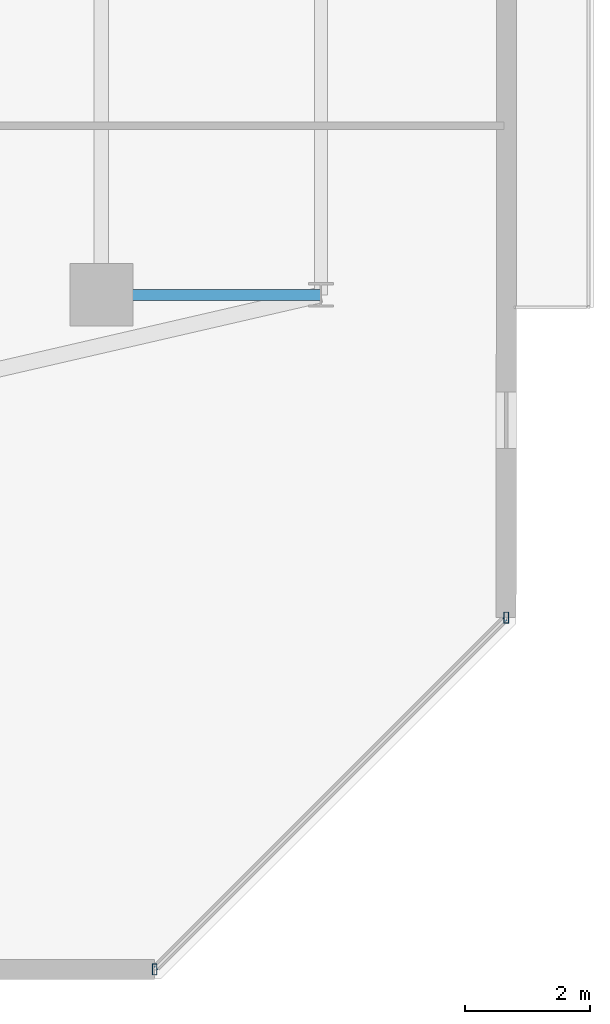
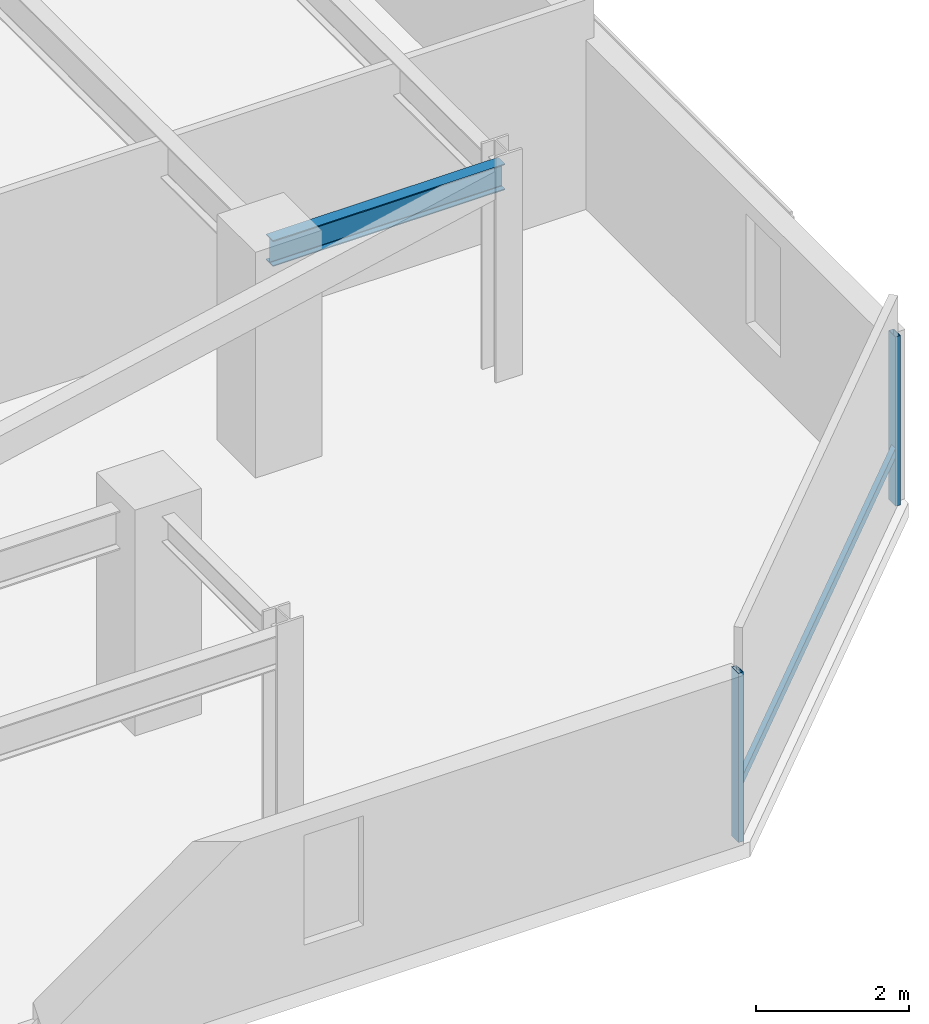
# One storey, part 12 of 31: 3 members, 1 beam, 1 element without a shape of its own.
"""IFC4 building model written with IfcOpenShell, lengths in metres."""

from ifc_helpers import new_model, si_unit, direction, frame, origin, origin_2d, place, context, subcontext, project, spatial, hollow_rectangle, i_section, extrude, material, material_profile, profile_set, type_object, element, aggregate, save


model = new_model("IFC4")

# Units and contexts
model_context = context("Model", 3, precision=1e-05, world=origin(), true_north=direction((0.0, 1.0)))
body_context = subcontext(model_context, "Body", "Model", "MODEL_VIEW")
ifc_project = project(units=[si_unit("LENGTHUNIT", "METRE"), si_unit("AREAUNIT", "SQUARE_METRE"), si_unit("VOLUMEUNIT", "CUBIC_METRE"), si_unit("PLANEANGLEUNIT", "RADIAN"), si_unit("MASSUNIT", "GRAM", prefix="KILO")], contexts=[model_context])

# Site, building, storey
site_placement = place(None, origin())
site = spatial("IfcSite", under=ifc_project, at=site_placement, CompositionType="ELEMENT")
building_placement = place(site_placement, origin())
building = spatial("IfcBuilding", under=site, at=building_placement, Name="Thornwick Lancets Civic Towers", CompositionType="ELEMENT")
storey_placement = place(building_placement, frame((0.0, 0.0, 236.699951171875)))
storey = spatial("IfcBuildingStorey", under=building, at=storey_placement, Name="L63", CompositionType="ELEMENT", Elevation=236.699951171875)

# Beam
ifc_material_1 = material(Name="Steel S355JR", Category="steel")
ifc_material_profile_1 = material_profile(ifc_material_1, i_section(OverallWidth=0.179443359375, OverallDepth=0.412841796875, WebThickness=0.009521484375, FlangeThickness=0.01611328125, FilletRadius=0.01025390625, at=origin_2d()), Name="UKB 406x178x74")
ifc_profile_set_1 = profile_set([ifc_material_profile_1], Name="Steel S355JR")
beam_type = type_object("IfcBeamType", Name="BM_JOIST_406_74", PredefinedType="JOIST", material=ifc_profile_set_1)
beam_placement = place(storey_placement, frame((105.800048828125, 14.0, 3.153564453125), z_axis=(1.0, 0.0, 0.0), x_axis=(0.0, 1.0, 0.0)))
element("IfcBeam", 1, at=beam_placement, inside=storey, type_object=beam_type, Name="BM-RAD-L63-B01", PredefinedType="JOIST", context=body_context, shape_type="SweptSolid", body=[
    extrude(i_section(OverallWidth=0.179443359375, OverallDepth=0.412841796875, WebThickness=0.009521484375, FlangeThickness=0.01611328125, FilletRadius=0.01025390625, at=origin_2d()), origin(), (0.0, 0.0, 1.0), 3.5),
])

# Curtain wall, members
ifc_material_2 = material(Name="High-zone chamfered-corner unitised glass curtain wall", Category="glass")
curtain_wall_type = type_object("IfcCurtainWallType", Name="CW_SYS_05", PredefinedType="NOTDEFINED", material=ifc_material_2)
curtain_wall_placement = place(storey_placement, origin())
curtain_wall = element("IfcCurtainWall", 2, at=curtain_wall_placement, inside=storey, type_object=curtain_wall_type, Name="L63 Curtain Wall CW-L63-B-E1", PredefinedType="NOTDEFINED")
ifc_material_3 = material(Name="Thermally broken bronze aluminium S355", Category="steel")
ifc_material_profile_2 = material_profile(ifc_material_3, hollow_rectangle(XDim=0.074951171875, YDim=0.179931640625, WallThickness=0.006103515625, at=origin_2d()), Name="RHS 180x75x6")
ifc_profile_set_2 = profile_set([ifc_material_profile_2], Name="Thermally broken bronze aluminium S355")
member_type_1 = type_object("IfcMemberType", Name="CW_MUL_180", PredefinedType="MULLION", material=ifc_profile_set_2)
member_1_placement = place(storey_placement, frame((106.64794921875, 3.245361328125, 0.0), z_axis=(0.0, 0.0, 1.0), x_axis=(1.0, 0.0, 0.0)))
member_1 = element("IfcMember", 3, at=member_1_placement, type_object=member_type_1, Name="CW-L63-B-E1 Mullion 0", PredefinedType="MULLION", context=body_context, shape_type="SweptSolid", body=[
    extrude(hollow_rectangle(XDim=0.074951171875, YDim=0.179931640625, WallThickness=0.006103515625, at=origin_2d()), origin(), (0.0, 0.0, 1.0), 2.699951171875),
])
member_2_placement = place(storey_placement, frame((112.254638671875, 8.85205078125, 0.0), z_axis=(0.0, 0.0, 1.0), x_axis=(1.0, 0.0, 0.0)))
member_2 = element("IfcMember", 4, at=member_2_placement, type_object=member_type_1, Name="CW-L63-B-E1 Mullion 1", PredefinedType="MULLION", context=body_context, shape_type="SweptSolid", body=[
    extrude(hollow_rectangle(XDim=0.074951171875, YDim=0.179931640625, WallThickness=0.006103515625, at=origin_2d()), origin(), (0.0, 0.0, 1.0), 2.699951171875),
])
ifc_material_profile_3 = material_profile(ifc_material_3, hollow_rectangle(XDim=0.074951171875, YDim=0.14990234375, WallThickness=0.0048828125, at=origin_2d()), Name="RHS 150x75x5")
ifc_profile_set_3 = profile_set([ifc_material_profile_3], Name="Thermally broken bronze aluminium S355")
member_type_2 = type_object("IfcMemberType", Name="CW_TRN_150", PredefinedType="USERDEFINED", material=ifc_profile_set_3)
member_3_placement = place(storey_placement, frame((106.662109375, 3.259521484375, 0.85009765625), z_axis=(0.707106781187, 0.707106781187, 0.0), x_axis=(-0.707106781187, 0.707106781187, 0.0)))
member_3 = element("IfcMember", 5, at=member_3_placement, type_object=member_type_2, Name="CW-L63-B-E1 Transom 0", ObjectType="TRANSOM", PredefinedType="USERDEFINED", context=body_context, shape_type="SweptSolid", body=[
    extrude(hollow_rectangle(XDim=0.074951171875, YDim=0.14990234375, WallThickness=0.0048828125, at=origin_2d()), origin(), (0.0, 0.0, 1.0), 7.888916015625),
])
aggregate(curtain_wall, [member_1, member_2, member_3])

save(model, "model.ifc")
